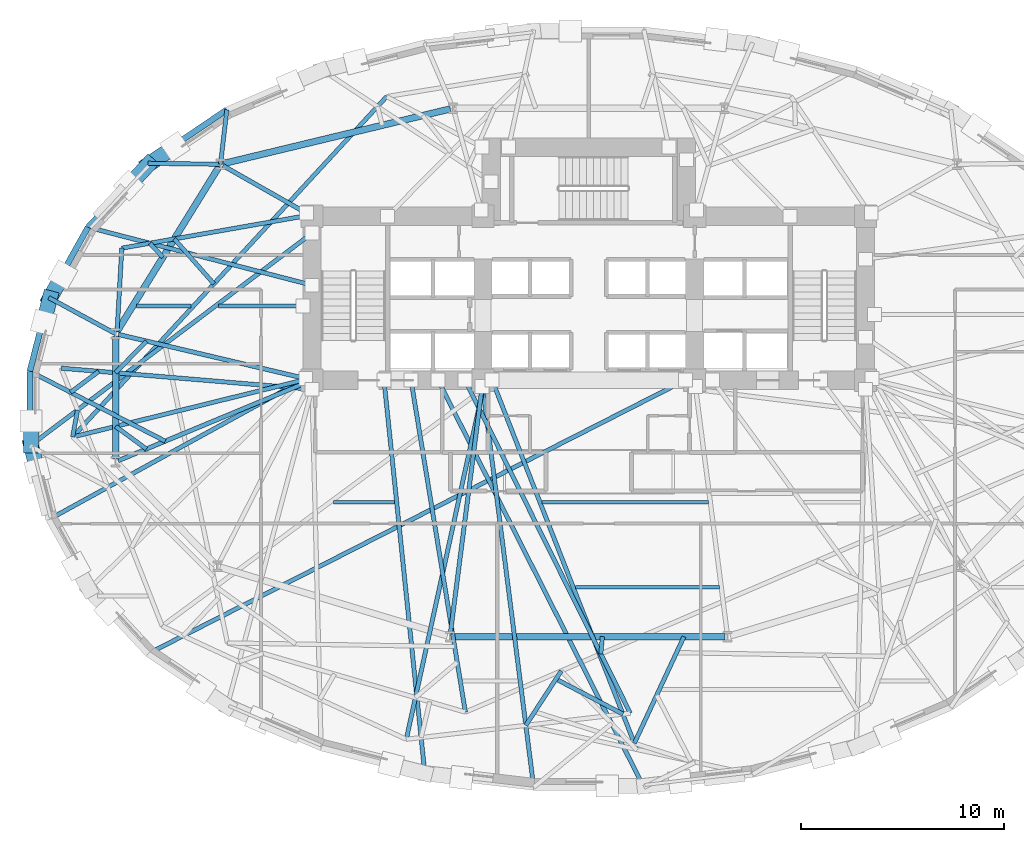
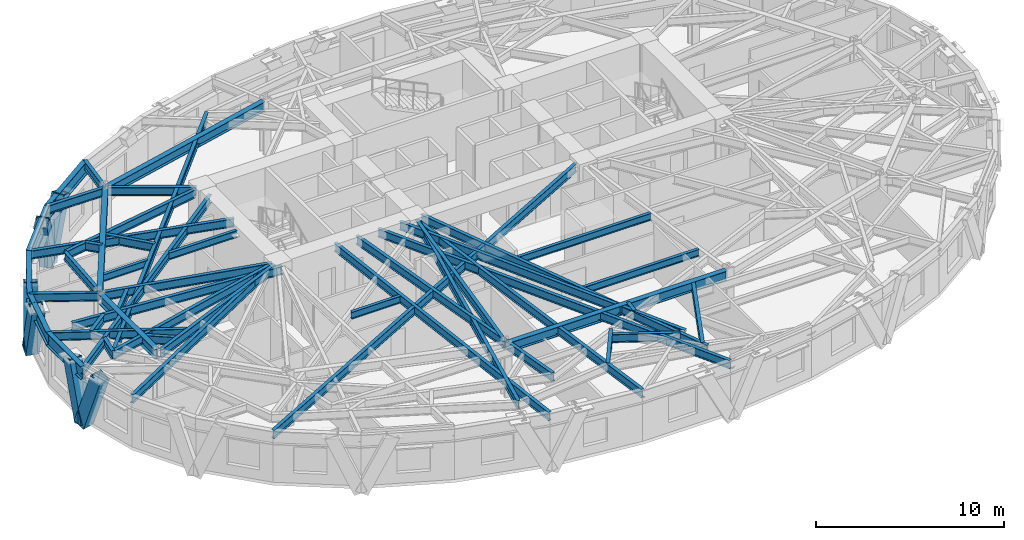
# One storey, part 2 of 14: 48 beams, 6 members.
"""IFC4 building model written with IfcOpenShell, lengths in metres."""

from ifc_helpers import new_model, si_unit, direction, frame, origin, origin_2d, place, context, subcontext, project, spatial, hollow_rectangle, i_section, extrude, material, material_profile, profile_set, type_object, element, save


model = new_model("IFC4")

# Units and contexts
model_context = context("Model", 3, precision=1e-05, world=origin(), true_north=direction((0.0, 1.0)))
body_context = subcontext(model_context, "Body", "Model", "MODEL_VIEW")
ifc_project = project(units=[si_unit("LENGTHUNIT", "METRE"), si_unit("AREAUNIT", "SQUARE_METRE"), si_unit("VOLUMEUNIT", "CUBIC_METRE"), si_unit("PLANEANGLEUNIT", "RADIAN"), si_unit("MASSUNIT", "GRAM", prefix="KILO")], contexts=[model_context])

# Site, building, storey
site_placement = place(None, origin())
site = spatial("IfcSite", under=ifc_project, at=site_placement, CompositionType="ELEMENT")
building_placement = place(site_placement, origin())
building = spatial("IfcBuilding", under=site, at=building_placement, Name="Keldmark Tower", CompositionType="ELEMENT")
storey_placement = place(building_placement, frame((0.0, 0.0, 48.60009765625)))
storey = spatial("IfcBuildingStorey", under=building, at=storey_placement, Name="L12", CompositionType="ELEMENT", Elevation=48.60009765625)

# Beams
ifc_material_1 = material(Name="Steel ASTM A992 Grade 50", Category="steel")
ifc_material_profile_1 = material_profile(ifc_material_1, i_section(OverallWidth=0.19091796875, OverallDepth=0.45703125, WebThickness=0.009033203125, FlangeThickness=0.014404296875, at=origin_2d()), Name="W18X50")
ifc_profile_set_1 = profile_set([ifc_material_profile_1], Name="Steel ASTM A992 Grade 50")
beam_type_1 = type_object("IfcBeamType", Name="Composite Floor Joist W18X50", PredefinedType="JOIST", material=ifc_profile_set_1)
beam_1_placement = place(storey_placement, frame((-0.66064453125, -8.780029296875, 3.17138671875), z_axis=(1.0, 0.0, 0.0), x_axis=(0.0, 1.0, 0.0)))
element("IfcBeam", 1, at=beam_1_placement, inside=storey, type_object=beam_type_1, Name="L12 Composite Floor Joist J05", PredefinedType="JOIST", context=body_context, shape_type="SweptSolid", body=[
    extrude(i_section(OverallWidth=0.19091796875, OverallDepth=0.45703125, WebThickness=0.009033203125, FlangeThickness=0.014404296875, at=origin_2d()), origin(), (0.0, 0.0, 1.0), 7.07177734375),
])
beam_2_placement = place(storey_placement, frame((-12.5537109375, -4.60009765625, 3.17138671875), z_axis=(1.0, 0.0, 0.0), x_axis=(0.0, 1.0, 0.0)))
element("IfcBeam", 2, at=beam_2_placement, inside=storey, type_object=beam_type_1, Name="L12 Composite Floor Joist J07", PredefinedType="JOIST", context=body_context, shape_type="SweptSolid", body=[
    extrude(i_section(OverallWidth=0.19091796875, OverallDepth=0.45703125, WebThickness=0.009033203125, FlangeThickness=0.014404296875, at=origin_2d()), origin(), (0.0, 0.0, 1.0), 3.016357421875),
])
beam_3_placement = place(storey_placement, frame((-2.29736328125, -4.60009765625, 3.17138671875), z_axis=(1.0, 0.0, 0.0), x_axis=(0.0, 1.0, 0.0)))
element("IfcBeam", 3, at=beam_3_placement, inside=storey, type_object=beam_type_1, Name="L12 Composite Floor Joist J08", PredefinedType="JOIST", context=body_context, shape_type="SweptSolid", body=[
    extrude(i_section(OverallWidth=0.19091796875, OverallDepth=0.45703125, WebThickness=0.009033203125, FlangeThickness=0.014404296875, at=origin_2d()), origin(), (0.0, 0.0, 1.0), 8.170654296875),
])
beam_4_placement = place(storey_placement, frame((-22.2294921875, 5.0400390625, 3.17138671875), z_axis=(1.0, 0.0, 0.0), x_axis=(0.0, 1.0, 0.0)))
element("IfcBeam", 4, at=beam_4_placement, inside=storey, type_object=beam_type_1, Name="L12 Composite Floor Joist J11", PredefinedType="JOIST", context=body_context, shape_type="SweptSolid", body=[
    extrude(i_section(OverallWidth=0.19091796875, OverallDepth=0.45703125, WebThickness=0.009033203125, FlangeThickness=0.014404296875, at=origin_2d()), origin(), (0.0, 0.0, 1.0), 2.66943359375),
])
beam_5_placement = place(storey_placement, frame((-18.187255859375, 5.0400390625, 3.17138671875), z_axis=(1.0, 0.0, 0.0), x_axis=(0.0, 1.0, 0.0)))
element("IfcBeam", 5, at=beam_5_placement, inside=storey, type_object=beam_type_1, Name="L12 Composite Floor Joist J12", PredefinedType="JOIST", context=body_context, shape_type="SweptSolid", body=[
    extrude(i_section(OverallWidth=0.19091796875, OverallDepth=0.45703125, WebThickness=0.009033203125, FlangeThickness=0.014404296875, at=origin_2d()), origin(), (0.0, 0.0, 1.0), 4.142333984375),
])

# Members
ifc_material_2 = material(Name="Steel ASTM A572 Grade 50", Category="steel")
ifc_material_profile_2 = material_profile(ifc_material_2, hollow_rectangle(XDim=0.75, YDim=0.75, WallThickness=0.06494140625, at=origin_2d()), Name="BOX750X750X65")
ifc_profile_set_2 = profile_set([ifc_material_profile_2], Name="Steel ASTM A572 Grade 50")
member_type = type_object("IfcMemberType", Name="Diagrid Lower Brace BOX750X750X65", PredefinedType="BRACE", material=ifc_profile_set_2)
member_1_placement = place(storey_placement, frame((-21.634765625, 12.005859375, -0.280029296875), z_axis=(0.333186944535, 0.225766017062, 0.915432228803), x_axis=(-0.560948167497, 0.827850924612, 0.0)))
element("IfcMember", 6, at=member_1_placement, inside=storey, type_object=member_type, Name="L12 Perimeter Diagrid Brace 06B", PredefinedType="BRACE", context=body_context, shape_type="SweptSolid", body=[
    extrude(hollow_rectangle(XDim=0.75, YDim=0.75, WallThickness=0.06494140625, at=origin_2d()), origin(), (0.0, 0.0, 1.0), 3.888671875),
])
member_2_placement = place(storey_placement, frame((-21.62646484375, 12.01416015625, -0.280029296875), z_axis=(-0.25500258471, -0.272689889737, 0.92769278634), x_axis=(0.730397557148, -0.683022260627, 0.0)))
element("IfcMember", 7, at=member_2_placement, inside=storey, type_object=member_type, Name="L12 Perimeter Diagrid Brace 07A", PredefinedType="BRACE", context=body_context, shape_type="SweptSolid", body=[
    extrude(hollow_rectangle(XDim=0.75, YDim=0.75, WallThickness=0.06494140625, at=origin_2d()), origin(), (0.0, 0.0, 1.0), 3.837158203125),
])
member_3_placement = place(storey_placement, frame((-26.4853515625, 5.4267578125, -0.280029296875), z_axis=(0.169441419499, 0.303579863929, 0.937618723989), x_axis=(-0.873195871477, 0.487369438963, 0.0)))
element("IfcMember", 8, at=member_3_placement, inside=storey, type_object=member_type, Name="L12 Perimeter Diagrid Brace 07B", PredefinedType="BRACE", context=body_context, shape_type="SweptSolid", body=[
    extrude(hollow_rectangle(XDim=0.75, YDim=0.75, WallThickness=0.06494140625, at=origin_2d()), origin(), (0.0, 0.0, 1.0), 3.796630859375),
])
member_4_placement = place(storey_placement, frame((-26.48095703125, 5.4375, -0.280029296875), z_axis=(-0.081948812842, -0.320092321881, 0.943835418676), x_axis=(0.968755649676, -0.248017118805, 0.0)))
element("IfcMember", 9, at=member_4_placement, inside=storey, type_object=member_type, Name="L12 Perimeter Diagrid Brace 08A", PredefinedType="BRACE", context=body_context, shape_type="SweptSolid", body=[
    extrude(hollow_rectangle(XDim=0.75, YDim=0.75, WallThickness=0.06494140625, at=origin_2d()), origin(), (0.0, 0.0, 1.0), 3.771728515625),
])
member_5_placement = place(storey_placement, frame((-27.40625, -1.8388671875, -0.280029296875), z_axis=(0.0, 0.324660959988, 0.945830461055), x_axis=(-1.0, 0.0, 0.0)))
element("IfcMember", 10, at=member_5_placement, inside=storey, type_object=member_type, Name="L12 Perimeter Diagrid Brace 08B", PredefinedType="BRACE", context=body_context, shape_type="SweptSolid", body=[
    extrude(hollow_rectangle(XDim=0.75, YDim=0.75, WallThickness=0.06494140625, at=origin_2d()), origin(), (0.0, 0.0, 1.0), 3.763671875),
])
member_6_placement = place(storey_placement, frame((-27.40625, -1.8271484375, -0.280029296875), z_axis=(0.082013108125, -0.320090623266, 0.94383041008), x_axis=(0.968708564556, 0.248200960828, 0.0)))
element("IfcMember", 11, at=member_6_placement, inside=storey, type_object=member_type, Name="L12 Perimeter Diagrid Brace 09A", PredefinedType="BRACE", context=body_context, shape_type="SweptSolid", body=[
    extrude(hollow_rectangle(XDim=0.75, YDim=0.75, WallThickness=0.06494140625, at=origin_2d()), origin(), (0.0, 0.0, 1.0), 3.771728515625),
])

# Beams
ifc_material_3 = material(Name="Steel ASTM A992 Grade 50", Category="steel")
ifc_material_profile_3 = material_profile(ifc_material_3, i_section(OverallWidth=0.323974609375, OverallDepth=0.611083984375, WebThickness=0.0126953125, FlangeThickness=0.01904296875, at=origin_2d()), Name="W24X104")
ifc_profile_set_3 = profile_set([ifc_material_profile_3], Name="Steel ASTM A992 Grade 50")
beam_type_2 = type_object("IfcBeamType", Name="Primary Floor Girder W24X104", PredefinedType="BEAM", material=ifc_profile_set_3)
beam_6_placement = place(storey_placement, frame((-6.80126953125, 14.727294921875, 3.094482421875), z_axis=(-0.972218707757, -0.2340743136, 0.0), x_axis=(0.2340743136, -0.972218707757, 0.0)))
element("IfcBeam", 12, at=beam_6_placement, inside=storey, type_object=beam_type_2, Name="L12 Floor Ring Girder FG-R04", PredefinedType="BEAM", context=body_context, shape_type="SweptSolid", body=[
    extrude(i_section(OverallWidth=0.323974609375, OverallDepth=0.611083984375, WebThickness=0.0126953125, FlangeThickness=0.01904296875, at=origin_2d()), origin(), (0.0, 0.0, 1.0), 11.479248046875),
])
beam_7_placement = place(storey_placement, frame((-18.17138671875, 11.888427734375, 3.094482421875), z_axis=(-0.526318405849, -0.850287560573, 0.0), x_axis=(0.850287560573, -0.526318405849, 0.0)))
element("IfcBeam", 13, at=beam_7_placement, inside=storey, type_object=beam_type_2, Name="L12 Floor Ring Girder FG-R05", PredefinedType="BEAM", context=body_context, shape_type="SweptSolid", body=[
    extrude(i_section(OverallWidth=0.323974609375, OverallDepth=0.611083984375, WebThickness=0.0126953125, FlangeThickness=0.01904296875, at=origin_2d()), origin(), (0.0, 0.0, 1.0), 9.51708984375),
])
beam_8_placement = place(storey_placement, frame((-23.25390625, 3.537109375, 3.094482421875), z_axis=(0.0, -1.0, 0.0), x_axis=(1.0, 0.0, 0.0)))
element("IfcBeam", 14, at=beam_8_placement, inside=storey, type_object=beam_type_2, Name="L12 Floor Ring Girder FG-R06", PredefinedType="BEAM", context=body_context, shape_type="SweptSolid", body=[
    extrude(i_section(OverallWidth=0.323974609375, OverallDepth=0.611083984375, WebThickness=0.0126953125, FlangeThickness=0.01904296875, at=origin_2d()), origin(), (0.0, 0.0, 1.0), 6.01025390625),
])
beam_9_placement = place(storey_placement, frame((-6.68212890625, -11.205810546875, 3.094482421875), z_axis=(1.0, 0.0, 0.0), x_axis=(0.0, 1.0, 0.0)))
element("IfcBeam", 15, at=beam_9_placement, inside=storey, type_object=beam_type_2, Name="L12 Floor Ring Girder FG-R09", PredefinedType="BEAM", context=body_context, shape_type="SweptSolid", body=[
    extrude(i_section(OverallWidth=0.323974609375, OverallDepth=0.611083984375, WebThickness=0.0126953125, FlangeThickness=0.01904296875, at=origin_2d()), origin(), (0.0, 0.0, 1.0), 13.3642578125),
])
ifc_material_4 = material(Name="Steel ASTM A992 Grade 50", Category="steel")
ifc_material_profile_4 = material_profile(ifc_material_4, i_section(OverallWidth=0.2099609375, OverallDepth=0.537109375, WebThickness=0.010986328125, FlangeThickness=0.017333984375, at=origin_2d()), Name="W21X68")
ifc_profile_set_4 = profile_set([ifc_material_profile_4], Name="Steel ASTM A992 Grade 50")
beam_type_3 = type_object("IfcBeamType", Name="Radial Tie Girder W21X68", PredefinedType="BEAM", material=ifc_profile_set_4)
beam_10_placement = place(storey_placement, frame((-21.740234375, -1.98388671875, 3.13134765625), z_axis=(-0.806632426687, 0.591053405554, 0.0), x_axis=(-0.591053405554, -0.806632426687, 0.0)))
element("IfcBeam", 16, at=beam_10_placement, inside=storey, type_object=beam_type_3, Name="L12 Framing Pin Header PH-005", PredefinedType="BEAM", context=body_context, shape_type="SweptSolid", body=[
    extrude(i_section(OverallWidth=0.2099609375, OverallDepth=0.537109375, WebThickness=0.010986328125, FlangeThickness=0.017333984375, at=origin_2d()), origin(), (0.0, 0.0, 1.0), 1.87646484375),
])
beam_11_placement = place(storey_placement, frame((-14.050048828125, 1.39990234375, 3.13134765625), z_axis=(-0.970791969309, -0.239922804929, 0.0), x_axis=(0.239922804929, -0.970791969309, 0.0)))
element("IfcBeam", 17, at=beam_11_placement, inside=storey, type_object=beam_type_3, Name="L12 Sub-Ring Step Girder STP1-M07", PredefinedType="BEAM", context=body_context, shape_type="SweptSolid", body=[
    extrude(i_section(OverallWidth=0.2099609375, OverallDepth=0.537109375, WebThickness=0.010986328125, FlangeThickness=0.017333984375, at=origin_2d()), origin(), (0.0, 0.0, 1.0), 11.656494140625),
])
beam_12_placement = place(storey_placement, frame((-8.735595703125, 1.39990234375, 3.13134765625), z_axis=(0.161620615206, -0.98685296612, 0.0), x_axis=(0.98685296612, 0.161620615206, 0.0)))
element("IfcBeam", 18, at=beam_12_placement, inside=storey, type_object=beam_type_3, Name="L12 Sub-Ring Step Girder STP1-M09", PredefinedType="BEAM", context=body_context, shape_type="SweptSolid", body=[
    extrude(i_section(OverallWidth=0.2099609375, OverallDepth=0.537109375, WebThickness=0.010986328125, FlangeThickness=0.017333984375, at=origin_2d()), origin(), (0.0, 0.0, 1.0), 16.533203125),
])
beam_13_placement = place(storey_placement, frame((-9.9326171875, 15.33251953125, 3.13134765625), z_axis=(-0.678065786913, -0.735001216746, 0.0), x_axis=(0.735001216746, -0.678065786913, 0.0)))
element("IfcBeam", 19, at=beam_13_placement, inside=storey, type_object=beam_type_3, Name="L12 Perimeter Collector Ring Beam CRG1-M05", PredefinedType="BEAM", context=body_context, shape_type="SweptSolid", body=[
    extrude(i_section(OverallWidth=0.2099609375, OverallDepth=0.537109375, WebThickness=0.010986328125, FlangeThickness=0.017333984375, at=origin_2d()), origin(), (0.0, 0.0, 1.0), 22.7607421875),
])
beam_14_placement = place(storey_placement, frame((-21.73681640625, 3.3193359375, 3.13134765625), z_axis=(-0.697669764864, -0.716419499452, 0.0), x_axis=(0.716419499452, -0.697669764864, 0.0)))
element("IfcBeam", 20, at=beam_14_placement, inside=storey, type_object=beam_type_3, Name="L12 Framing Pin Header PH-010", PredefinedType="BEAM", context=body_context, shape_type="SweptSolid", body=[
    extrude(i_section(OverallWidth=0.2099609375, OverallDepth=0.537109375, WebThickness=0.010986328125, FlangeThickness=0.017333984375, at=origin_2d()), origin(), (0.0, 0.0, 1.0), 2.174560546875),
])
beam_15_placement = place(storey_placement, frame((-13.60009765625, 0.949951171875, 3.13134765625), z_axis=(-0.996486036928, 0.083759048507, 0.0), x_axis=(-0.083759048507, -0.996486036928, 0.0)))
element("IfcBeam", 21, at=beam_15_placement, inside=storey, type_object=beam_type_3, Name="L12 Sub-Ring Step Girder STP2-M07", PredefinedType="BEAM", context=body_context, shape_type="SweptSolid", body=[
    extrude(i_section(OverallWidth=0.2099609375, OverallDepth=0.537109375, WebThickness=0.010986328125, FlangeThickness=0.017333984375, at=origin_2d()), origin(), (0.0, 0.0, 1.0), 12.373291015625),
])
beam_16_placement = place(storey_placement, frame((-5.199951171875, 0.949951171875, 3.13134765625), z_axis=(-0.213990447824, -0.976835752949, 0.0), x_axis=(0.976835752949, -0.213990447824, 0.0)))
element("IfcBeam", 22, at=beam_16_placement, inside=storey, type_object=beam_type_3, Name="L12 Sub-Ring Step Girder STP2-M09", PredefinedType="BEAM", context=body_context, shape_type="SweptSolid", body=[
    extrude(i_section(OverallWidth=0.2099609375, OverallDepth=0.537109375, WebThickness=0.010986328125, FlangeThickness=0.017333984375, at=origin_2d()), origin(), (0.0, 0.0, 1.0), 17.608642578125),
])
beam_17_placement = place(storey_placement, frame((0.668212890625, -11.205810546875, 3.13134765625), z_axis=(-0.088438496664, -0.996081639379, 0.0), x_axis=(0.996081639379, -0.088438496664, 0.0)))
element("IfcBeam", 23, at=beam_17_placement, inside=storey, type_object=beam_type_3, Name="L12 Framing Pin Header PH-013", PredefinedType="BEAM", context=body_context, shape_type="SweptSolid", body=[
    extrude(i_section(OverallWidth=0.2099609375, OverallDepth=0.537109375, WebThickness=0.010986328125, FlangeThickness=0.017333984375, at=origin_2d()), origin(), (0.0, 0.0, 1.0), 0.850341796875),
])
beam_18_placement = place(storey_placement, frame((-6.07861328125, 1.39990234375, 3.13134765625), z_axis=(0.444303636595, -0.895876262945, 0.0), x_axis=(0.895876262945, 0.444303636595, 0.0)))
element("IfcBeam", 24, at=beam_18_placement, inside=storey, type_object=beam_type_3, Name="L12 Sub-Ring Step Girder STP2-M10", PredefinedType="BEAM", context=body_context, shape_type="SweptSolid", body=[
    extrude(i_section(OverallWidth=0.2099609375, OverallDepth=0.537109375, WebThickness=0.010986328125, FlangeThickness=0.017333984375, at=origin_2d()), origin(), (0.0, 0.0, 1.0), 18.27099609375),
])
beam_19_placement = place(storey_placement, frame((-18.09765625, 12.00732421875, 3.13134765625), z_axis=(0.115438533169, 0.993314625413, 0.0), x_axis=(-0.993314625413, 0.115438533169, 0.0)))
element("IfcBeam", 25, at=beam_19_placement, inside=storey, type_object=beam_type_3, Name="L12 Perimeter Column Bracket RT-12", PredefinedType="BEAM", context=body_context, shape_type="SweptSolid", body=[
    extrude(i_section(OverallWidth=0.2099609375, OverallDepth=0.537109375, WebThickness=0.010986328125, FlangeThickness=0.017333984375, at=origin_2d()), origin(), (0.0, 0.0, 1.0), 2.696533203125),
])
beam_20_placement = place(storey_placement, frame((-18.09765625, 12.00732421875, 3.13134765625), z_axis=(-0.999921071329, 0.012563881257, 0.0), x_axis=(-0.012563881257, -0.999921071329, 0.0)))
element("IfcBeam", 26, at=beam_20_placement, inside=storey, type_object=beam_type_3, Name="L12 Perimeter Column Bracket RT-13", PredefinedType="BEAM", context=body_context, shape_type="SweptSolid", body=[
    extrude(i_section(OverallWidth=0.2099609375, OverallDepth=0.537109375, WebThickness=0.010986328125, FlangeThickness=0.017333984375, at=origin_2d()), origin(), (0.0, 0.0, 1.0), 3.575439453125),
])
beam_21_placement = place(storey_placement, frame((-18.4208984375, 6.13134765625, 3.13134765625), z_axis=(-0.661739577532, 0.749733773767, 0.0), x_axis=(-0.749733773767, -0.661739577532, 0.0)))
element("IfcBeam", 27, at=beam_21_placement, inside=storey, type_object=beam_type_3, Name="L12 Framing Pin Header PH-022", PredefinedType="BEAM", context=body_context, shape_type="SweptSolid", body=[
    extrude(i_section(OverallWidth=0.2099609375, OverallDepth=0.537109375, WebThickness=0.010986328125, FlangeThickness=0.017333984375, at=origin_2d()), origin(), (0.0, 0.0, 1.0), 2.94384765625),
])
beam_22_placement = place(storey_placement, frame((-14.050048828125, 9.449951171875, 3.13134765625), z_axis=(-0.984876463888, -0.173258047087, 0.0), x_axis=(0.173258047087, -0.984876463888, 0.0)))
element("IfcBeam", 28, at=beam_22_placement, inside=storey, type_object=beam_type_3, Name="L12 Intermediate Radial Step Girder RT-14M", PredefinedType="BEAM", context=body_context, shape_type="SweptSolid", body=[
    extrude(i_section(OverallWidth=0.2099609375, OverallDepth=0.537109375, WebThickness=0.010986328125, FlangeThickness=0.017333984375, at=origin_2d()), origin(), (0.0, 0.0, 1.0), 9.033935546875),
])
beam_23_placement = place(storey_placement, frame((-23.180419921875, 3.796142578125, 3.13134765625), z_axis=(0.056932645284, 0.998378021543, 0.0), x_axis=(-0.998378021543, 0.056932645284, 0.0)))
element("IfcBeam", 29, at=beam_23_placement, inside=storey, type_object=beam_type_3, Name="L12 Local Collector Chord RT-14C", PredefinedType="BEAM", context=body_context, shape_type="SweptSolid", body=[
    extrude(i_section(OverallWidth=0.2099609375, OverallDepth=0.537109375, WebThickness=0.010986328125, FlangeThickness=0.017333984375, at=origin_2d()), origin(), (0.0, 0.0, 1.0), 4.09521484375),
])
beam_24_placement = place(storey_placement, frame((-20.92626953125, 7.437744140625, 3.13134765625), z_axis=(-0.683036945409, 0.730383824579, 0.0), x_axis=(-0.730383824579, -0.683036945409, 0.0)))
element("IfcBeam", 30, at=beam_24_placement, inside=storey, type_object=beam_type_3, Name="L12 Framing Pin Header PH-023", PredefinedType="BEAM", context=body_context, shape_type="SweptSolid", body=[
    extrude(i_section(OverallWidth=0.2099609375, OverallDepth=0.537109375, WebThickness=0.010986328125, FlangeThickness=0.017333984375, at=origin_2d()), origin(), (0.0, 0.0, 1.0), 0.943603515625),
])
beam_25_placement = place(storey_placement, frame((-13.60009765625, 6.064208984375, 3.13134765625), z_axis=(-0.96811154628, 0.250519528099, 0.0), x_axis=(-0.250519528099, -0.96811154628, 0.0)))
element("IfcBeam", 31, at=beam_25_placement, inside=storey, type_object=beam_type_3, Name="L12 Perimeter Radial Tie Girder RT-14", PredefinedType="BEAM", context=body_context, shape_type="SweptSolid", body=[
    extrude(i_section(OverallWidth=0.2099609375, OverallDepth=0.537109375, WebThickness=0.010986328125, FlangeThickness=0.017333984375, at=origin_2d()), origin(), (0.0, 0.0, 1.0), 11.370849609375),
])
beam_26_placement = place(storey_placement, frame((-23.25390625, 3.67724609375, 3.13134765625), z_axis=(-0.8794299536, 0.476028315031, 0.0), x_axis=(-0.476028315031, -0.8794299536, 0.0)))
element("IfcBeam", 32, at=beam_26_placement, inside=storey, type_object=beam_type_3, Name="L12 Perimeter Column Bracket RT-15", PredefinedType="BEAM", context=body_context, shape_type="SweptSolid", body=[
    extrude(i_section(OverallWidth=0.2099609375, OverallDepth=0.537109375, WebThickness=0.010986328125, FlangeThickness=0.017333984375, at=origin_2d()), origin(), (0.0, 0.0, 1.0), 3.734619140625),
])
beam_27_placement = place(storey_placement, frame((-24.080322265625, 1.830810546875, 3.13134765625), z_axis=(-0.802099318173, -0.597190659493, 0.0), x_axis=(0.597190659493, -0.802099318173, 0.0)))
element("IfcBeam", 33, at=beam_27_placement, inside=storey, type_object=beam_type_3, Name="L12 Framing Pin Header PH-024", PredefinedType="BEAM", context=body_context, shape_type="SweptSolid", body=[
    extrude(i_section(OverallWidth=0.2099609375, OverallDepth=0.537109375, WebThickness=0.010986328125, FlangeThickness=0.017333984375, at=origin_2d()), origin(), (0.0, 0.0, 1.0), 1.726318359375),
])
beam_28_placement = place(storey_placement, frame((-20.8173828125, -1.600341796875, 3.13134765625), z_axis=(-0.888517255374, 0.458843205138, 0.0), x_axis=(-0.458843205138, -0.888517255374, 0.0)))
element("IfcBeam", 34, at=beam_28_placement, inside=storey, type_object=beam_type_3, Name="L12 Perimeter Radial Tie Girder RT-16", PredefinedType="BEAM", context=body_context, shape_type="SweptSolid", body=[
    extrude(i_section(OverallWidth=0.2099609375, OverallDepth=0.537109375, WebThickness=0.010986328125, FlangeThickness=0.017333984375, at=origin_2d()), origin(), (0.0, 0.0, 1.0), 7.482666015625),
])
beam_29_placement = place(storey_placement, frame((-25.365966796875, -1.396728515625, 3.13134765625), z_axis=(0.178455825361, 0.983947924636, 0.0), x_axis=(-0.983947924636, 0.178455825361, 0.0)))
element("IfcBeam", 35, at=beam_29_placement, inside=storey, type_object=beam_type_3, Name="L12 Framing Pin Header PH-025", PredefinedType="BEAM", context=body_context, shape_type="SweptSolid", body=[
    extrude(i_section(OverallWidth=0.2099609375, OverallDepth=0.537109375, WebThickness=0.010986328125, FlangeThickness=0.017333984375, at=origin_2d()), origin(), (0.0, 0.0, 1.0), 1.350341796875),
])
beam_30_placement = place(storey_placement, frame((-13.60009765625, 8.621337890625, 3.13134765625), z_axis=(-0.798475663961, -0.602027087482, 0.0), x_axis=(0.602027087482, -0.798475663961, 0.0)))
element("IfcBeam", 36, at=beam_30_placement, inside=storey, type_object=beam_type_3, Name="L12 Perimeter Radial Tie Girder RT-17", PredefinedType="BEAM", context=body_context, shape_type="SweptSolid", body=[
    extrude(i_section(OverallWidth=0.2099609375, OverallDepth=0.537109375, WebThickness=0.010986328125, FlangeThickness=0.017333984375, at=origin_2d()), origin(), (0.0, 0.0, 1.0), 17.365234375),
])
beam_31_placement = place(storey_placement, frame((-14.050048828125, 1.39990234375, 3.13134765625), z_axis=(-0.876617956522, -0.481187030482, 0.0), x_axis=(0.481187030482, -0.876617956522, 0.0)))
element("IfcBeam", 37, at=beam_31_placement, inside=storey, type_object=beam_type_3, Name="L12 Perimeter Radial Tie Girder RT-18", PredefinedType="BEAM", context=body_context, shape_type="SweptSolid", body=[
    extrude(i_section(OverallWidth=0.2099609375, OverallDepth=0.537109375, WebThickness=0.010986328125, FlangeThickness=0.017333984375, at=origin_2d()), origin(), (0.0, 0.0, 1.0), 14.24609375),
])
beam_32_placement = place(storey_placement, frame((4.75, 1.39990234375, 3.13134765625), z_axis=(-0.891156094168, -0.453696832508, 0.0), x_axis=(0.453696832508, -0.891156094168, 0.0)))
element("IfcBeam", 38, at=beam_32_placement, inside=storey, type_object=beam_type_3, Name="L12 Perimeter Radial Tie Girder RT-20", PredefinedType="BEAM", context=body_context, shape_type="SweptSolid", body=[
    extrude(i_section(OverallWidth=0.2099609375, OverallDepth=0.537109375, WebThickness=0.010986328125, FlangeThickness=0.017333984375, at=origin_2d()), origin(), (0.0, 0.0, 1.0), 29.650146484375),
])
beam_33_placement = place(storey_placement, frame((-10.064208984375, 1.39990234375, 3.13134765625), z_axis=(0.103347098695, -0.994645352471, 0.0), x_axis=(0.994645352471, 0.103347098695, 0.0)))
element("IfcBeam", 39, at=beam_33_placement, inside=storey, type_object=beam_type_3, Name="L12 Perimeter Radial Tie Girder RT-23", PredefinedType="BEAM", context=body_context, shape_type="SweptSolid", body=[
    extrude(i_section(OverallWidth=0.2099609375, OverallDepth=0.537109375, WebThickness=0.010986328125, FlangeThickness=0.017333984375, at=origin_2d()), origin(), (0.0, 0.0, 1.0), 19.48681640625),
])
beam_34_placement = place(storey_placement, frame((-1.34912109375, -12.88818359375, 3.13134765625), z_axis=(-0.54576672663, -0.83793715761, 0.0), x_axis=(0.83793715761, -0.54576672663, 0.0)))
element("IfcBeam", 40, at=beam_34_placement, inside=storey, type_object=beam_type_3, Name="L12 Framing Pin Header PH-032", PredefinedType="BEAM", context=body_context, shape_type="SweptSolid", body=[
    extrude(i_section(OverallWidth=0.2099609375, OverallDepth=0.537109375, WebThickness=0.010986328125, FlangeThickness=0.017333984375, at=origin_2d()), origin(), (0.0, 0.0, 1.0), 3.1962890625),
])
beam_35_placement = place(storey_placement, frame((-5.199951171875, 0.949951171875, 3.13134765625), z_axis=(0.126518099542, -0.991964298999, 0.0), x_axis=(0.991964298999, 0.126518099542, 0.0)))
element("IfcBeam", 41, at=beam_35_placement, inside=storey, type_object=beam_type_3, Name="L12 Perimeter Radial Tie Girder RT-24", PredefinedType="BEAM", context=body_context, shape_type="SweptSolid", body=[
    extrude(i_section(OverallWidth=0.2099609375, OverallDepth=0.537109375, WebThickness=0.010986328125, FlangeThickness=0.017333984375, at=origin_2d()), origin(), (0.0, 0.0, 1.0), 19.719482421875),
])
beam_36_placement = place(storey_placement, frame((-1.61083984375, -13.289794921875, 3.13134765625), z_axis=(0.885872748, -0.463928307339, 0.0), x_axis=(0.463928307339, 0.885872748, 0.0)))
element("IfcBeam", 42, at=beam_36_placement, inside=storey, type_object=beam_type_3, Name="L12 Framing Pin Header PH-033", PredefinedType="BEAM", context=body_context, shape_type="SweptSolid", body=[
    extrude(i_section(OverallWidth=0.2099609375, OverallDepth=0.537109375, WebThickness=0.010986328125, FlangeThickness=0.017333984375, at=origin_2d()), origin(), (0.0, 0.0, 1.0), 3.7099609375),
])
beam_37_placement = place(storey_placement, frame((-4.75, 1.39990234375, 3.13134765625), z_axis=(0.364599612987, -0.93116439054, 0.0), x_axis=(0.93116439054, 0.364599612987, 0.0)))
element("IfcBeam", 43, at=beam_37_placement, inside=storey, type_object=beam_type_3, Name="L12 Intermediate Radial Step Girder RT-25M", PredefinedType="BEAM", context=body_context, shape_type="SweptSolid", body=[
    extrude(i_section(OverallWidth=0.2099609375, OverallDepth=0.537109375, WebThickness=0.010986328125, FlangeThickness=0.017333984375, at=origin_2d()), origin(), (0.0, 0.0, 1.0), 19.53466796875),
])
beam_38_placement = place(storey_placement, frame((-7.406982421875, 1.39990234375, 3.13134765625), z_axis=(0.451011997256, -0.892517886841, 0.0), x_axis=(0.892517886841, 0.451011997256, 0.0)))
element("IfcBeam", 44, at=beam_38_placement, inside=storey, type_object=beam_type_3, Name="L12 Perimeter Radial Tie Girder RT-25", PredefinedType="BEAM", context=body_context, shape_type="SweptSolid", body=[
    extrude(i_section(OverallWidth=0.2099609375, OverallDepth=0.537109375, WebThickness=0.010986328125, FlangeThickness=0.017333984375, at=origin_2d()), origin(), (0.0, 0.0, 1.0), 22.4208984375),
])
beam_39_placement = place(storey_placement, frame((4.677490234375, -11.205810546875, 3.13134765625), z_axis=(-0.422170829985, -0.906516293461, 0.0), x_axis=(0.906516293461, -0.422170829985, 0.0)))
element("IfcBeam", 45, at=beam_39_placement, inside=storey, type_object=beam_type_3, Name="L12 Framing Pin Header PH-035", PredefinedType="BEAM", context=body_context, shape_type="SweptSolid", body=[
    extrude(i_section(OverallWidth=0.2099609375, OverallDepth=0.537109375, WebThickness=0.010986328125, FlangeThickness=0.017333984375, at=origin_2d()), origin(), (0.0, 0.0, 1.0), 5.780029296875),
])
ifc_material_5 = material(Name="Steel ASTM A992 Grade 50", Category="steel")
ifc_material_profile_5 = material_profile(ifc_material_5, i_section(OverallWidth=0.214111328125, OverallDepth=0.549072265625, WebThickness=0.0146484375, FlangeThickness=0.023681640625, at=origin_2d()), Name="W21X93")
ifc_profile_set_5 = profile_set([ifc_material_profile_5], Name="Steel ASTM A992 Grade 50")
beam_type_4 = type_object("IfcBeamType", Name="Radial Tie Girder W21X93", PredefinedType="BEAM", material=ifc_profile_set_5)
beam_40_placement = place(storey_placement, frame((-17.97607421875, 11.938232421875, 3.12548828125), z_axis=(0.869299282131, -0.494286109542, 0.0), x_axis=(0.494286109542, 0.869299282131, 0.0)))
element("IfcBeam", 46, at=beam_40_placement, inside=storey, type_object=beam_type_4, Name="L12 Floor Radial Girder FG-C05", PredefinedType="BEAM", context=body_context, shape_type="SweptSolid", body=[
    extrude(i_section(OverallWidth=0.214111328125, OverallDepth=0.549072265625, WebThickness=0.0146484375, FlangeThickness=0.023681640625, at=origin_2d()), origin(), (0.0, 0.0, 1.0), 4.714111328125),
])
beam_41_placement = place(storey_placement, frame((-23.11767578125, 3.64501953125, 3.12548828125), z_axis=(0.973287364179, -0.229590301909, 0.0), x_axis=(0.229590301909, 0.973287364179, 0.0)))
element("IfcBeam", 47, at=beam_41_placement, inside=storey, type_object=beam_type_4, Name="L12 Floor Radial Girder FG-C06", PredefinedType="BEAM", context=body_context, shape_type="SweptSolid", body=[
    extrude(i_section(OverallWidth=0.214111328125, OverallDepth=0.549072265625, WebThickness=0.0146484375, FlangeThickness=0.023681640625, at=origin_2d()), origin(), (0.0, 0.0, 1.0), 9.458740234375),
])
beam_42_placement = place(storey_placement, frame((-23.124755859375, -2.5595703125, 3.12548828125), z_axis=(0.923390978102, 0.383860784088, 0.0), x_axis=(-0.383860784088, 0.923390978102, 0.0)))
element("IfcBeam", 48, at=beam_42_placement, inside=storey, type_object=beam_type_4, Name="L12 Floor Radial Girder FG-C07", PredefinedType="BEAM", context=body_context, shape_type="SweptSolid", body=[
    extrude(i_section(OverallWidth=0.214111328125, OverallDepth=0.549072265625, WebThickness=0.0146484375, FlangeThickness=0.023681640625, at=origin_2d()), origin(), (0.0, 0.0, 1.0), 9.994873046875),
])
beam_43_placement = place(storey_placement, frame((-6.80419921875, -11.06689453125, 3.12548828125), z_axis=(0.127634898593, 0.99182122011, 0.0), x_axis=(-0.99182122011, 0.127634898593, 0.0)))
element("IfcBeam", 49, at=beam_43_placement, inside=storey, type_object=beam_type_4, Name="L12 Floor Radial Girder FG-C09", PredefinedType="BEAM", context=body_context, shape_type="SweptSolid", body=[
    extrude(i_section(OverallWidth=0.214111328125, OverallDepth=0.549072265625, WebThickness=0.0146484375, FlangeThickness=0.023681640625, at=origin_2d()), origin(), (0.0, 0.0, 1.0), 12.24951171875),
])
ifc_material_6 = material(Name="Steel ASTM A992 Grade 50", Category="steel")
ifc_material_profile_6 = material_profile(ifc_material_6, i_section(OverallWidth=0.2919921875, OverallDepth=0.85888671875, WebThickness=0.01708984375, FlangeThickness=0.031005859375, at=origin_2d()), Name="W33X169")
ifc_profile_set_6 = profile_set([ifc_material_profile_6], Name="Steel ASTM A992 Grade 50")
beam_type_5 = type_object("IfcBeamType", Name="Spandrel Ring Beam W33X169", PredefinedType="SPANDREL", material=ifc_profile_set_6)
beam_44_placement = place(storey_placement, frame((-17.786376953125, 14.685791015625, 2.970458984375), z_axis=(-0.827842346852, -0.560960826402, 0.0), x_axis=(0.560960826402, -0.827842346852, 0.0)))
element("IfcBeam", 50, at=beam_44_placement, inside=storey, type_object=beam_type_5, Name="L12 Perimeter Spandrel Ring Beam SRB-12", PredefinedType="SPANDREL", context=body_context, shape_type="SweptSolid", body=[
    extrude(i_section(OverallWidth=0.2919921875, OverallDepth=0.85888671875, WebThickness=0.01708984375, FlangeThickness=0.031005859375, at=origin_2d()), origin(), (0.0, 0.0, 1.0), 4.69482421875),
])
beam_45_placement = place(storey_placement, frame((-21.6728515625, 12.05224609375, 2.970458984375), z_axis=(-0.68299392258, -0.730424056093, 0.0), x_axis=(0.730424056093, -0.68299392258, 0.0)))
element("IfcBeam", 51, at=beam_45_placement, inside=storey, type_object=beam_type_5, Name="L12 Perimeter Spandrel Ring Beam SRB-13", PredefinedType="SPANDREL", context=body_context, shape_type="SweptSolid", body=[
    extrude(i_section(OverallWidth=0.2919921875, OverallDepth=0.85888671875, WebThickness=0.01708984375, FlangeThickness=0.031005859375, at=origin_2d()), origin(), (0.0, 0.0, 1.0), 4.298095703125),
])
beam_46_placement = place(storey_placement, frame((-24.6083984375, 8.912841796875, 2.970458984375), z_axis=(-0.487369438963, -0.873195871477, 0.0), x_axis=(0.873195871477, -0.487369438963, 0.0)))
element("IfcBeam", 52, at=beam_46_placement, inside=storey, type_object=beam_type_5, Name="L12 Perimeter Spandrel Ring Beam SRB-14", PredefinedType="SPANDREL", context=body_context, shape_type="SweptSolid", body=[
    extrude(i_section(OverallWidth=0.2919921875, OverallDepth=0.85888671875, WebThickness=0.01708984375, FlangeThickness=0.031005859375, at=origin_2d()), origin(), (0.0, 0.0, 1.0), 3.9599609375),
])
beam_47_placement = place(storey_placement, frame((-26.538330078125, 5.455078125, 2.970458984375), z_axis=(-0.248062710061, -0.968743976434, 0.0), x_axis=(0.968743976434, -0.248062710061, 0.0)))
element("IfcBeam", 53, at=beam_47_placement, inside=storey, type_object=beam_type_5, Name="L12 Perimeter Spandrel Ring Beam SRB-15", PredefinedType="SPANDREL", context=body_context, shape_type="SweptSolid", body=[
    extrude(i_section(OverallWidth=0.2919921875, OverallDepth=0.85888671875, WebThickness=0.01708984375, FlangeThickness=0.031005859375, at=origin_2d()), origin(), (0.0, 0.0, 1.0), 3.739013671875),
])
beam_48_placement = place(storey_placement, frame((-27.4658203125, 1.8330078125, 2.970458984375), z_axis=(0.0, -1.0, 0.0), x_axis=(1.0, 0.0, 0.0)))
element("IfcBeam", 54, at=beam_48_placement, inside=storey, type_object=beam_type_5, Name="L12 Perimeter Spandrel Ring Beam SRB-16", PredefinedType="SPANDREL", context=body_context, shape_type="SweptSolid", body=[
    extrude(i_section(OverallWidth=0.2919921875, OverallDepth=0.85888671875, WebThickness=0.01708984375, FlangeThickness=0.031005859375, at=origin_2d()), origin(), (0.0, 0.0, 1.0), 3.666015625),
])

save(model, "model.ifc")
